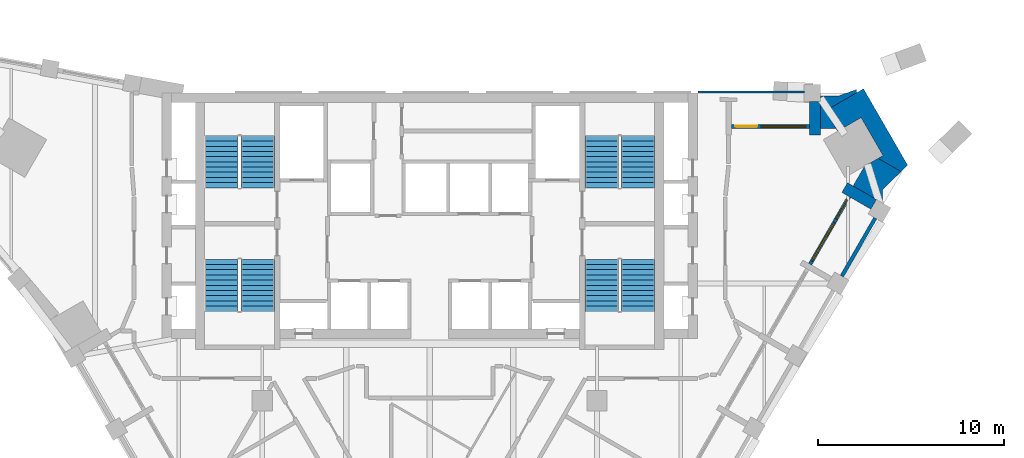
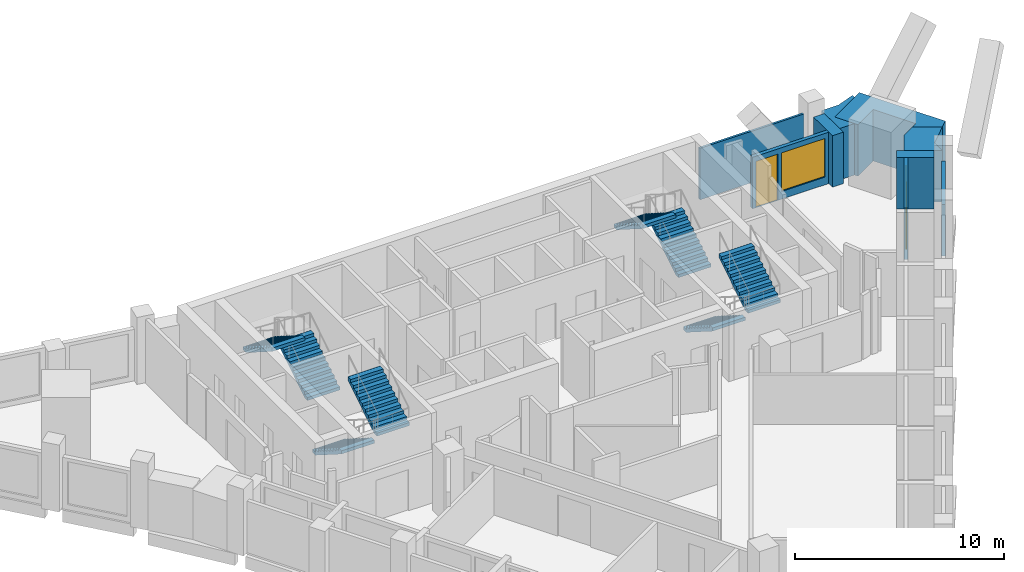
# One storey, part 8 of 9: 9 walls, 8 stair flights, 2 doors, 2 windows, 4 openings, 4 elements without a shape of their own.
"""IFC4 building model written with IfcOpenShell, lengths in metres."""

from ifc_helpers import new_model, si_unit, direction, frame, frame_2d, origin, place, context, subcontext, project, spatial, polyline, rectangle, outline, extrude, faceted_brep, source, transform, mapped, material, layer, layer_set, type_object, element, fill, aggregate, save


model = new_model("IFC4")

# Units and contexts
model_context = context("Model", 3, precision=1e-05, world=origin(), true_north=direction((0.0, 1.0)))
body_context = subcontext(model_context, "Body", "Model", "MODEL_VIEW")
ifc_project = project(units=[si_unit("LENGTHUNIT", "METRE"), si_unit("AREAUNIT", "SQUARE_METRE"), si_unit("VOLUMEUNIT", "CUBIC_METRE"), si_unit("PLANEANGLEUNIT", "RADIAN"), si_unit("MASSUNIT", "GRAM", prefix="KILO")], contexts=[model_context])

# Site, building, storey
site_placement = place(None, origin())
site = spatial("IfcSite", under=ifc_project, at=site_placement, CompositionType="ELEMENT")
building_placement = place(site_placement, origin())
building = spatial("IfcBuilding", under=site, at=building_placement, Name="Calabash Gate Tower", CompositionType="ELEMENT")
storey_placement = place(building_placement, frame((0.0, 0.0, 235.39990234375)))
storey = spatial("IfcBuildingStorey", under=building, at=storey_placement, Name="L56", CompositionType="ELEMENT", Elevation=235.39990234375)

# Walls
ifc_material_1 = material(Name="Terracotta brick masonry, exposed face", Category="masonry")
ifc_layer_1 = layer(ifc_material_1, 2.35009765625)
ifc_layer_set_1 = layer_set([ifc_layer_1], Name="Brick corner mass wall 2350")
wall_type_1 = type_object("IfcWallType", Name="Brick corner mass wall 2350", PredefinedType="SOLIDWALL", material=ifc_layer_set_1)
wall_1_placement = place(storey_placement, origin())
element("IfcWall", 1, at=wall_1_placement, inside=storey, type_object=wall_type_1, Name="Brick corner pier S16 3a", PredefinedType="SOLIDWALL", context=body_context, shape_type="SweptSolid", body=[
    extrude(outline(polyline([(23.392333984375, 15.1171875), (22.775634765625, 14.049072265625), (24.364013671875, 13.1318359375), (24.364013671875, 13.861083984375), (25.353271484375, 14.825439453125), (24.119873046875, 15.537353515625), (23.392333984375, 15.1171875)])), origin(), (0.0, 0.0, 1.0), 3.0),
])
wall_2_placement = place(storey_placement, origin())
element("IfcWall", 2, at=wall_2_placement, inside=storey, type_object=wall_type_1, Name="Brick corner pier S16 3b", PredefinedType="SOLIDWALL", context=body_context, shape_type="SweptSolid", body=[
    extrude(outline(polyline([(23.2041015625, 17.72216796875), (24.379150390625, 15.68701171875), (24.119873046875, 15.537353515625), (25.353271484375, 14.825439453125), (25.706298828125, 15.169677734375), (23.33447265625, 19.277587890625), (21.29931640625, 18.1025390625), (21.9404296875, 16.992431640625), (23.2041015625, 17.72216796875)])), origin(), (0.0, 0.0, 1.0), 3.0),
])
wall_3_placement = place(storey_placement, origin())
element("IfcWall", 3, at=wall_3_placement, inside=storey, type_object=wall_type_1, Name="Brick corner pier S16 3c", PredefinedType="SOLIDWALL", context=body_context, shape_type="SweptSolid", body=[
    extrude(outline(polyline([(21.027099609375, 18.884033203125), (21.02685546875, 17.152587890625), (21.847900390625, 17.152587890625), (21.29931640625, 18.1025390625), (22.94482421875, 19.052490234375), (22.94482421875, 19.239501953125), (21.97802734375, 18.884033203125), (21.027099609375, 18.884033203125)])), origin(), (0.0, 0.0, 1.0), 3.0),
])
ifc_material_2 = material(Name="Terracotta brick masonry, exposed face", Category="masonry")
ifc_layer_2 = layer(ifc_material_2, 0.300048828125)
ifc_layer_set_2 = layer_set([ifc_layer_2], Name="Brick loggia cheek wall 300")
wall_type_2 = type_object("IfcWallType", Name="Brick loggia cheek wall 300", PredefinedType="SOLIDWALL", material=ifc_layer_set_2)
wall_4_placement = place(storey_placement, frame((23.88134765625, 13.064208984375, 0.0), z_axis=(0.0, 0.0, 1.0), x_axis=(-0.866047807691, 0.499961193289, 0.0)))
element("IfcWall", 4, at=wall_4_placement, inside=storey, type_object=wall_type_2, Name="Loggia cheek S16 SE2.9", PredefinedType="SOLIDWALL", context=body_context, shape_type="SweptSolid", body=[
    extrude(rectangle(XDim=1.800048828125, YDim=0.60009765625, at=frame_2d((0.89990234375, 0.0))), origin(), (0.0, 0.0, 1.0), 3.0),
])
wall_5_placement = place(storey_placement, origin())
element("IfcWall", 5, at=wall_5_placement, inside=storey, type_object=wall_type_2, Name="Loggia cheek S16 N4.0", PredefinedType="SOLIDWALL", context=body_context, shape_type="SweptSolid", body=[
    extrude(outline(polyline([(21.02685546875, 16.802490234375), (21.02685546875, 18.6025390625), (20.427001953125, 18.6025390625), (20.427001953125, 16.802490234375), (21.02685546875, 16.802490234375)])), origin(), (0.0, 0.0, 1.0), 3.0),
])
ifc_material_3 = material(Name="Terracotta brick masonry, perforated", Category="masonry")
ifc_layer_3 = layer(ifc_material_3, 0.1201171875)
ifc_layer_set_3 = layer_set([ifc_layer_3], Name="Terracotta jaali cladding B 120")
wall_type_3 = type_object("IfcWallType", Name="Terracotta jaali cladding B 120", PredefinedType="SOLIDWALL", material=ifc_layer_set_3)
wall_6_placement = place(storey_placement, frame((14.4248046875, 19.112548828125, 0.0), z_axis=(0.0, 0.0, 1.0), x_axis=(1.0, 0.0, 0.0)))
element("IfcWall", 6, at=wall_6_placement, inside=storey, type_object=wall_type_3, Name="Jaali cladding S16 N4.c1", PredefinedType="SOLIDWALL", context=body_context, shape_type="SweptSolid", body=[
    extrude(rectangle(XDim=5.739990234375, YDim=0.1201171875, at=frame_2d((2.8701171875, 0.0))), origin(), (0.0, 0.0, 1.0), 3.0),
])
ifc_material_4 = material(Name="Terracotta brick masonry, perforated", Category="masonry")
ifc_layer_4 = layer(ifc_material_4, 0.199951171875)
ifc_layer_set_4 = layer_set([ifc_layer_4], Name="Terracotta jaali screen B")
wall_type_4 = type_object("IfcWallType", Name="Terracotta jaali screen B", PredefinedType="SOLIDWALL", material=ifc_layer_set_4)
wall_7_placement = place(storey_placement, frame((22.1708984375, 9.201904296875, 0.0), z_axis=(0.0, 0.0, 1.0), x_axis=(0.500012057535, 0.866018442252, 0.0)))
element("IfcWall", 7, at=wall_7_placement, inside=storey, type_object=wall_type_4, Name="SCREEN B S16 SE2.9", PredefinedType="SOLIDWALL", context=body_context, shape_type="SweptSolid", body=[
    extrude(rectangle(XDim=3.60009765625, YDim=0.199951171875, at=frame_2d((1.800048828125, 0.0))), origin(), (0.0, 0.0, 1.0), 3.0),
])

# Wall, openings, door, window
ifc_material_5 = material(Name="Aluminium framed window wall with insulated spandrel", Category="aluminium")
ifc_layer_5 = layer(ifc_material_5, 0.199951171875)
ifc_layer_set_5 = layer_set([ifc_layer_5], Name="Window wall 200")
wall_type_5 = type_object("IfcWallType", Name="Window wall 200", PredefinedType="ELEMENTEDWALL", material=ifc_layer_set_5)
wall_8_placement = place(storey_placement, frame((20.462158203125, 9.842041015625, 0.0), z_axis=(0.0, 0.0, 1.0), x_axis=(0.500027713859, 0.866009402589, 0.0)))
wall_8 = element("IfcWall", 8, at=wall_8_placement, inside=storey, type_object=wall_type_5, Name="Window wall S16 SE2.9", PredefinedType="ELEMENTEDWALL", context=body_context, shape_type="SweptSolid", body=[
    extrude(rectangle(XDim=4.199951171875, YDim=0.199951171875, at=frame_2d((2.10009765625, 0.0))), origin(), (0.0, 0.0, 1.0), 3.0),
])
opening_1_placement = place(wall_8_placement, frame((0.199951171875, 0.0, 0.449951171875)))
opening_1 = element("IfcOpeningElement", 9, at=opening_1_placement, cuts=wall_8, Name="Opening OW1", PredefinedType="OPENING", context=body_context, shape_type="SweptSolid", body=[
    extrude(rectangle(XDim=2.39990234375, YDim=2.25, at=frame_2d((1.199951171875, 1.125))), frame((0.0, 0.10986328125, 0.0), z_axis=(0.0, -1.0, 0.0), x_axis=(1.0, 0.0, 0.0)), (0.0, 0.0, 1.0), 0.219970703125),
])
opening_2_placement = place(wall_8_placement, frame((2.800048828125, 0.0, 0.0)))
opening_2 = element("IfcOpeningElement", 10, at=opening_2_placement, cuts=wall_8, Name="Opening O8-025", PredefinedType="OPENING", context=body_context, shape_type="SweptSolid", body=[
    extrude(rectangle(XDim=1.199951171875, YDim=2.699951171875, at=frame_2d((0.60009765625, 1.35009765625))), frame((0.0, 0.10986328125, 0.0), z_axis=(0.0, -1.0, 0.0), x_axis=(1.0, 0.0, 0.0)), (0.0, 0.0, 1.0), 0.219970703125),
])
ifc_material_6 = material(Name="Anodised aluminium frame, bronze finish, impact-rated laminated clear glazing", Category="aluminium")
door_type = type_object("IfcDoorType", Name="Loggia door DO1 1200x2700", OperationType="SLIDING_TO_LEFT", PredefinedType="DOOR", material=ifc_material_6)
door_1_placement = place(opening_2_placement, origin())
door_1 = element("IfcDoor", 11, at=door_1_placement, inside=storey, type_object=door_type, Name="Loggia door S16 SE2.9", OperationType="SINGLE_SWING_LEFT", OverallHeight=2.699951171875, OverallWidth=1.199951171875, PredefinedType="DOOR", context=body_context, shape_type="SweptSolid", body=[
    extrude(rectangle(XDim=1.199951171875, YDim=2.699951171875, at=frame_2d((0.60009765625, 1.35009765625))), frame((0.0, 0.02490234375, 0.0), z_axis=(0.0, -1.0, 0.0), x_axis=(1.0, 0.0, 0.0)), (0.0, 0.0, 1.0), 0.050048828125),
])
fill(opening_2, door_1)
ifc_material_7 = material(Name="Anodised aluminium frame, bronze finish, impact-rated laminated clear glazing", Category="aluminium")
window_type = type_object("IfcWindowType", Name="Window OW1 2400x2250", PartitioningType="DOUBLE_PANEL_VERTICAL", PredefinedType="WINDOW", material=ifc_material_7)
window_1_placement = place(opening_1_placement, origin())
window_1 = element("IfcWindow", 12, at=window_1_placement, inside=storey, type_object=window_type, Name="Window OW1 S16 SE2.9", OverallHeight=2.25, OverallWidth=2.39990234375, PartitioningType="SINGLE_PANEL", PredefinedType="WINDOW", context=body_context, shape_type="SweptSolid", body=[
    extrude(rectangle(XDim=2.39990234375, YDim=2.25, at=frame_2d((1.199951171875, 1.125))), frame((0.0, 0.030029296875, 0.0), z_axis=(0.0, -1.0, 0.0), x_axis=(1.0, 0.0, 0.0)), (0.0, 0.0, 1.0), 0.06005859375),
])
fill(opening_1, window_1)

wall_9_placement = place(storey_placement, frame((20.427001953125, 17.25244140625, 0.0), z_axis=(0.0, 0.0, 1.0), x_axis=(-1.0, 0.0, 0.0)))
wall_9 = element("IfcWall", 13, at=wall_9_placement, inside=storey, type_object=wall_type_5, Name="Window wall S16 N4.1", PredefinedType="ELEMENTEDWALL", context=body_context, shape_type="SweptSolid", body=[
    extrude(rectangle(XDim=4.199951171875, YDim=0.199951171875, at=frame_2d((2.10009765625, 0.0))), origin(), (0.0, 0.0, 1.0), 3.0),
])
opening_3_placement = place(wall_9_placement, frame((0.199951171875, 0.0, 0.449951171875)))
opening_3 = element("IfcOpeningElement", 14, at=opening_3_placement, cuts=wall_9, Name="Opening OW1", PredefinedType="OPENING", context=body_context, shape_type="SweptSolid", body=[
    extrude(rectangle(XDim=2.39990234375, YDim=2.25, at=frame_2d((1.199951171875, 1.125))), frame((0.0, 0.10986328125, 0.0), z_axis=(0.0, -1.0, 0.0), x_axis=(1.0, 0.0, 0.0)), (0.0, 0.0, 1.0), 0.219970703125),
])
opening_4_placement = place(wall_9_placement, frame((2.800048828125, 0.0, 0.0)))
opening_4 = element("IfcOpeningElement", 15, at=opening_4_placement, cuts=wall_9, Name="Opening O8-021", PredefinedType="OPENING", context=body_context, shape_type="SweptSolid", body=[
    extrude(rectangle(XDim=1.199951171875, YDim=2.699951171875, at=frame_2d((0.60009765625, 1.35009765625))), frame((0.0, 0.10986328125, 0.0), z_axis=(0.0, -1.0, 0.0), x_axis=(1.0, 0.0, 0.0)), (0.0, 0.0, 1.0), 0.219970703125),
])
door_2_placement = place(opening_4_placement, origin())
door_2 = element("IfcDoor", 16, at=door_2_placement, inside=storey, type_object=door_type, Name="Loggia door S16 N4.1", OperationType="SINGLE_SWING_LEFT", OverallHeight=2.699951171875, OverallWidth=1.199951171875, PredefinedType="DOOR", context=body_context, shape_type="SweptSolid", body=[
    extrude(rectangle(XDim=1.199951171875, YDim=2.699951171875, at=frame_2d((0.60009765625, 1.35009765625))), frame((0.0, 0.02490234375, 0.0), z_axis=(0.0, -1.0, 0.0), x_axis=(1.0, 0.0, 0.0)), (0.0, 0.0, 1.0), 0.050048828125),
])
fill(opening_4, door_2)
window_2_placement = place(opening_3_placement, origin())
window_2 = element("IfcWindow", 17, at=window_2_placement, inside=storey, type_object=window_type, Name="Window OW1 S16 N4.1", OverallHeight=2.25, OverallWidth=2.39990234375, PartitioningType="SINGLE_PANEL", PredefinedType="WINDOW", context=body_context, shape_type="SweptSolid", body=[
    extrude(rectangle(XDim=2.39990234375, YDim=2.25, at=frame_2d((1.199951171875, 1.125))), frame((0.0, 0.030029296875, 0.0), z_axis=(0.0, -1.0, 0.0), x_axis=(1.0, 0.0, 0.0)), (0.0, 0.0, 1.0), 0.06005859375),
])
fill(opening_3, window_2)

# Stair, stair flights
ifc_material_8 = material(Name="Concrete C40/50", Category="concrete")
stair_type = type_object("IfcStairType", Name="Exit stair 22 risers of 177.3 mm", PredefinedType="HALF_TURN_STAIR", material=ifc_material_8)
stair_1_placement = place(storey_placement, origin())
stair_1 = element("IfcStair", 18, at=stair_1_placement, inside=storey, type_object=stair_type, Name="L56 Exit stair ST1", PredefinedType="HALF_TURN_STAIR")
ifc_material_9 = material(Name="Concrete C40/50", Category="concrete")
stair_flight_type = type_object("IfcStairFlightType", Name="Exit stair flight SFL", PredefinedType="STRAIGHT", material=ifc_material_9)
shared_shape = source(origin(), body_context, "Body", "Brep", [
    faceted_brep([(-0.0009765625, -0.89990234375, 0.0), (0.279541015625, -0.89990234375, 0.0), (2.791015625, -0.89990234375, 1.59521484375), (-0.0009765625, 0.89990234375, 0.0), (2.791015625, 0.89990234375, 1.59521484375), (0.279541015625, 0.89990234375, 0.0), (2.791015625, -0.89990234375, 1.78466796875), (2.7900390625, -0.89990234375, 1.78466796875), (2.7900390625, 0.89990234375, 1.78466796875), (2.791015625, 0.89990234375, 1.78466796875), (2.7900390625, -0.89990234375, 1.772705078125), (2.7900390625, 0.89990234375, 1.772705078125), (2.510986328125, -0.89990234375, 1.772705078125), (2.510986328125, 0.89990234375, 1.772705078125), (2.510986328125, -0.89990234375, 1.595458984375), (2.510986328125, 0.89990234375, 1.595458984375), (2.23193359375, -0.89990234375, 1.595458984375), (2.23193359375, 0.89990234375, 1.595458984375), (2.23193359375, -0.89990234375, 1.418212890625), (2.23193359375, 0.89990234375, 1.418212890625), (1.952880859375, -0.89990234375, 1.418212890625), (1.952880859375, -0.89990234375, 1.240966796875), (1.952880859375, 0.89990234375, 1.240966796875), (1.952880859375, 0.89990234375, 1.418212890625), (1.674072265625, -0.89990234375, 1.240966796875), (1.674072265625, -0.89990234375, 1.063720703125), (1.674072265625, 0.89990234375, 1.063720703125), (1.674072265625, 0.89990234375, 1.240966796875), (1.39501953125, -0.89990234375, 1.063720703125), (1.39501953125, -0.89990234375, 0.886474609375), (1.39501953125, 0.89990234375, 0.886474609375), (1.39501953125, 0.89990234375, 1.063720703125), (1.115966796875, -0.89990234375, 0.886474609375), (1.115966796875, -0.89990234375, 0.708984375), (1.115966796875, 0.89990234375, 0.708984375), (1.115966796875, 0.89990234375, 0.886474609375), (0.8369140625, -0.89990234375, 0.708984375), (0.8369140625, -0.89990234375, 0.53173828125), (0.8369140625, 0.89990234375, 0.53173828125), (0.8369140625, 0.89990234375, 0.708984375), (0.55810546875, -0.89990234375, 0.53173828125), (0.55810546875, -0.89990234375, 0.3544921875), (0.55810546875, 0.89990234375, 0.3544921875), (0.55810546875, 0.89990234375, 0.53173828125), (0.279052734375, -0.89990234375, 0.3544921875), (0.279052734375, -0.89990234375, 0.17724609375), (0.279052734375, 0.89990234375, 0.17724609375), (0.279052734375, 0.89990234375, 0.3544921875), (-0.0009765625, -0.89990234375, 0.17724609375), (-0.0009765625, 0.89990234375, 0.17724609375), (0.279541015625, -0.360107421875, 0.0), (2.791015625, -0.360107421875, 1.59521484375), (0.279541015625, 0.0, 0.0), (2.791015625, 0.0, 1.59521484375), (0.279541015625, 0.360107421875, 0.0), (2.791015625, 0.360107421875, 1.59521484375), (2.791015625, -0.360107421875, 1.78466796875), (2.791015625, 0.0, 1.78466796875), (2.791015625, 0.360107421875, 1.78466796875), (2.7900390625, -0.360107421875, 1.78466796875), (2.7900390625, 0.0, 1.78466796875), (2.7900390625, 0.360107421875, 1.78466796875), (2.7900390625, -0.360107421875, 1.772705078125), (2.7900390625, 0.0, 1.772705078125), (2.7900390625, 0.360107421875, 1.772705078125), (2.510986328125, -0.360107421875, 1.772705078125), (2.510986328125, 0.0, 1.772705078125), (2.510986328125, 0.360107421875, 1.772705078125), (2.510986328125, -0.360107421875, 1.595458984375), (2.510986328125, 0.0, 1.595458984375), (2.510986328125, 0.360107421875, 1.595458984375), (2.23193359375, -0.360107421875, 1.595458984375), (2.23193359375, 0.0, 1.595458984375), (2.23193359375, 0.360107421875, 1.595458984375), (2.23193359375, -0.360107421875, 1.418212890625), (2.23193359375, 0.0, 1.418212890625), (2.23193359375, 0.360107421875, 1.418212890625), (1.952880859375, -0.360107421875, 1.418212890625), (1.952880859375, 0.0, 1.418212890625), (1.952880859375, 0.360107421875, 1.418212890625), (1.952880859375, -0.360107421875, 1.240966796875), (1.952880859375, 0.0, 1.240966796875), (1.952880859375, 0.360107421875, 1.240966796875), (1.674072265625, -0.360107421875, 1.240966796875), (1.674072265625, 0.0, 1.240966796875), (1.674072265625, 0.360107421875, 1.240966796875), (1.674072265625, -0.360107421875, 1.063720703125), (1.674072265625, 0.0, 1.063720703125), (1.674072265625, 0.360107421875, 1.063720703125), (1.39501953125, -0.360107421875, 1.063720703125), (1.39501953125, 0.0, 1.063720703125), (1.39501953125, 0.360107421875, 1.063720703125), (1.39501953125, -0.360107421875, 0.886474609375), (1.39501953125, 0.0, 0.886474609375), (1.39501953125, 0.360107421875, 0.886474609375), (1.115966796875, -0.360107421875, 0.886474609375), (1.115966796875, 0.0, 0.886474609375), (1.115966796875, 0.360107421875, 0.886474609375), (1.115966796875, -0.360107421875, 0.708984375), (1.115966796875, 0.0, 0.708984375), (1.115966796875, 0.360107421875, 0.708984375), (0.8369140625, -0.360107421875, 0.708984375), (0.8369140625, 0.0, 0.708984375), (0.8369140625, 0.360107421875, 0.708984375), (0.8369140625, -0.360107421875, 0.53173828125), (0.8369140625, 0.0, 0.53173828125), (0.8369140625, 0.360107421875, 0.53173828125), (0.55810546875, -0.360107421875, 0.53173828125), (0.55810546875, 0.0, 0.53173828125), (0.55810546875, 0.360107421875, 0.53173828125), (0.55810546875, -0.360107421875, 0.3544921875), (0.55810546875, 0.0, 0.3544921875), (0.55810546875, 0.360107421875, 0.3544921875), (0.279052734375, -0.360107421875, 0.3544921875), (0.279052734375, 0.0, 0.3544921875), (0.279052734375, 0.360107421875, 0.3544921875), (0.279052734375, -0.360107421875, 0.17724609375), (0.279052734375, 0.0, 0.17724609375), (0.279052734375, 0.360107421875, 0.17724609375), (-0.0009765625, -0.360107421875, 0.17724609375), (-0.0009765625, 0.0, 0.17724609375), (-0.0009765625, 0.360107421875, 0.17724609375), (-0.0009765625, -0.360107421875, 0.0), (-0.0009765625, 0.0, 0.0), (-0.0009765625, 0.360107421875, 0.0)], [[[0, 1, 2]], [[3, 4, 5]], [[2, 6, 7]], [[4, 8, 9]], [[2, 7, 10]], [[4, 11, 8]], [[2, 10, 12]], [[4, 13, 11]], [[2, 12, 14]], [[4, 15, 13]], [[2, 14, 16]], [[4, 17, 15]], [[2, 16, 18]], [[4, 19, 17]], [[18, 20, 21]], [[19, 22, 23]], [[2, 18, 21]], [[4, 22, 19]], [[21, 24, 25]], [[22, 26, 27]], [[2, 21, 25]], [[4, 26, 22]], [[25, 28, 29]], [[26, 30, 31]], [[2, 25, 29]], [[4, 30, 26]], [[29, 32, 33]], [[30, 34, 35]], [[2, 29, 33]], [[4, 34, 30]], [[33, 36, 37]], [[34, 38, 39]], [[2, 33, 37]], [[4, 38, 34]], [[37, 40, 41]], [[38, 42, 43]], [[2, 37, 41]], [[4, 42, 38]], [[41, 44, 45]], [[42, 46, 47]], [[2, 41, 45]], [[4, 46, 42]], [[0, 2, 45]], [[3, 46, 4]], [[45, 48, 0]], [[46, 3, 49]], [[1, 50, 2]], [[50, 51, 2]], [[50, 52, 51]], [[52, 53, 51]], [[52, 54, 55]], [[52, 55, 53]], [[54, 5, 4]], [[54, 4, 55]], [[2, 51, 6]], [[51, 56, 6]], [[51, 53, 56]], [[53, 57, 56]], [[53, 55, 58]], [[53, 58, 57]], [[55, 4, 9]], [[55, 9, 58]], [[6, 56, 7]], [[56, 59, 7]], [[56, 57, 59]], [[57, 60, 59]], [[57, 58, 61]], [[57, 61, 60]], [[58, 9, 8]], [[58, 8, 61]], [[7, 59, 10]], [[59, 62, 10]], [[59, 60, 62]], [[60, 63, 62]], [[60, 61, 64]], [[60, 64, 63]], [[61, 8, 11]], [[61, 11, 64]], [[10, 62, 12]], [[62, 65, 12]], [[62, 63, 65]], [[63, 66, 65]], [[63, 64, 67]], [[63, 67, 66]], [[64, 11, 13]], [[64, 13, 67]], [[12, 65, 14]], [[65, 68, 14]], [[65, 66, 68]], [[66, 69, 68]], [[66, 67, 70]], [[66, 70, 69]], [[67, 13, 15]], [[67, 15, 70]], [[14, 68, 16]], [[68, 71, 16]], [[68, 69, 71]], [[69, 72, 71]], [[69, 70, 73]], [[69, 73, 72]], [[70, 15, 17]], [[70, 17, 73]], [[16, 71, 18]], [[71, 74, 18]], [[71, 72, 74]], [[72, 75, 74]], [[72, 73, 76]], [[72, 76, 75]], [[73, 17, 19]], [[73, 19, 76]], [[18, 74, 20]], [[74, 77, 20]], [[74, 75, 77]], [[75, 78, 77]], [[75, 76, 79]], [[75, 79, 78]], [[76, 19, 23]], [[76, 23, 79]], [[20, 77, 21]], [[77, 80, 21]], [[77, 78, 80]], [[78, 81, 80]], [[78, 79, 82]], [[78, 82, 81]], [[79, 23, 22]], [[79, 22, 82]], [[21, 80, 24]], [[80, 83, 24]], [[80, 81, 83]], [[81, 84, 83]], [[81, 82, 85]], [[81, 85, 84]], [[82, 22, 27]], [[82, 27, 85]], [[24, 83, 25]], [[83, 86, 25]], [[83, 84, 86]], [[84, 87, 86]], [[84, 85, 88]], [[84, 88, 87]], [[85, 27, 26]], [[85, 26, 88]], [[25, 86, 28]], [[86, 89, 28]], [[86, 87, 89]], [[87, 90, 89]], [[87, 88, 91]], [[87, 91, 90]], [[88, 26, 31]], [[88, 31, 91]], [[28, 89, 29]], [[89, 92, 29]], [[89, 90, 92]], [[90, 93, 92]], [[90, 91, 94]], [[90, 94, 93]], [[91, 31, 30]], [[91, 30, 94]], [[29, 92, 32]], [[92, 95, 32]], [[92, 93, 95]], [[93, 96, 95]], [[93, 94, 97]], [[93, 97, 96]], [[94, 30, 35]], [[94, 35, 97]], [[32, 95, 33]], [[95, 98, 33]], [[95, 96, 98]], [[96, 99, 98]], [[96, 97, 100]], [[96, 100, 99]], [[97, 35, 34]], [[97, 34, 100]], [[33, 98, 36]], [[98, 101, 36]], [[98, 99, 101]], [[99, 102, 101]], [[99, 100, 103]], [[99, 103, 102]], [[100, 34, 39]], [[100, 39, 103]], [[36, 101, 37]], [[101, 104, 37]], [[101, 102, 104]], [[102, 105, 104]], [[102, 103, 106]], [[102, 106, 105]], [[103, 39, 38]], [[103, 38, 106]], [[37, 104, 40]], [[104, 107, 40]], [[104, 105, 107]], [[105, 108, 107]], [[105, 106, 109]], [[105, 109, 108]], [[106, 38, 43]], [[106, 43, 109]], [[40, 107, 41]], [[107, 110, 41]], [[107, 108, 110]], [[108, 111, 110]], [[108, 109, 112]], [[108, 112, 111]], [[109, 43, 42]], [[109, 42, 112]], [[41, 110, 44]], [[110, 113, 44]], [[110, 111, 113]], [[111, 114, 113]], [[111, 112, 115]], [[111, 115, 114]], [[112, 42, 47]], [[112, 47, 115]], [[44, 113, 45]], [[113, 116, 45]], [[113, 114, 116]], [[114, 117, 116]], [[114, 115, 118]], [[114, 118, 117]], [[115, 47, 46]], [[115, 46, 118]], [[45, 116, 48]], [[116, 119, 48]], [[116, 117, 119]], [[117, 120, 119]], [[117, 118, 121]], [[117, 121, 120]], [[118, 46, 49]], [[118, 49, 121]], [[48, 119, 0]], [[119, 122, 0]], [[119, 120, 122]], [[120, 123, 122]], [[120, 121, 124]], [[120, 124, 123]], [[121, 49, 3]], [[121, 3, 124]], [[0, 122, 1]], [[122, 50, 1]], [[122, 123, 50]], [[123, 52, 50]], [[123, 124, 54]], [[123, 54, 52]], [[124, 3, 5]], [[124, 5, 54]]]),
])
stair_flight_1_placement = place(storey_placement, frame((-9.25, 13.95263671875, 0.0), z_axis=(0.0, 0.0, 1.0), x_axis=(0.0, 1.0, 0.0)))
stair_flight_1 = element("IfcStairFlight", 19, at=stair_flight_1_placement, type_object=stair_flight_type, Name="ST1 flight 1", NumberOfRisers=11, NumberOfTreads=10, PredefinedType="STRAIGHT", RiserHeight=0.177272727, TreadLength=0.279, context=body_context, shape_type="MappedRepresentation", body=[
    mapped(shared_shape, transform((0.0, 0.0, 0.0), scale=1.0)),
])
stair_flight_2_placement = place(storey_placement, frame((-11.199951171875, 16.74267578125, 1.9501953125), z_axis=(0.0, 0.0, 1.0), x_axis=(0.0, -1.0, 0.0)))
stair_flight_2 = element("IfcStairFlight", 20, at=stair_flight_2_placement, type_object=stair_flight_type, Name="ST1 flight 2", NumberOfRisers=11, NumberOfTreads=10, PredefinedType="STRAIGHT", RiserHeight=0.177272727, TreadLength=0.279, context=body_context, shape_type="MappedRepresentation", body=[
    mapped(shared_shape, transform((0.0, 0.0, 0.0), scale=1.0)),
])
aggregate(stair_1, [stair_flight_1, stair_flight_2])

stair_2_placement = place(storey_placement, origin())
stair_2 = element("IfcStair", 21, at=stair_2_placement, inside=storey, type_object=stair_type, Name="L56 Exit stair ST2", PredefinedType="HALF_TURN_STAIR")
stair_flight_3_placement = place(storey_placement, frame((-11.199951171875, 10.1025390625, 0.0), z_axis=(0.0, 0.0, 1.0), x_axis=(0.0, -1.0, 0.0)))
stair_flight_3 = element("IfcStairFlight", 22, at=stair_flight_3_placement, type_object=stair_flight_type, Name="ST2 flight 1", NumberOfRisers=11, NumberOfTreads=10, PredefinedType="STRAIGHT", RiserHeight=0.177272727, TreadLength=0.279, context=body_context, shape_type="MappedRepresentation", body=[
    mapped(shared_shape, transform((0.0, 0.0, 0.0), scale=1.0)),
])
stair_flight_4_placement = place(storey_placement, frame((-9.25, 7.3125, 1.9501953125), z_axis=(0.0, 0.0, 1.0), x_axis=(0.0, 1.0, 0.0)))
stair_flight_4 = element("IfcStairFlight", 23, at=stair_flight_4_placement, type_object=stair_flight_type, Name="ST2 flight 2", NumberOfRisers=11, NumberOfTreads=10, PredefinedType="STRAIGHT", RiserHeight=0.177272727, TreadLength=0.279, context=body_context, shape_type="MappedRepresentation", body=[
    mapped(shared_shape, transform((0.0, 0.0, 0.0), scale=1.0)),
])
aggregate(stair_2, [stair_flight_3, stair_flight_4])

stair_3_placement = place(storey_placement, origin())
stair_3 = element("IfcStair", 24, at=stair_3_placement, inside=storey, type_object=stair_type, Name="L56 Exit stair ST3", PredefinedType="HALF_TURN_STAIR")
stair_flight_5_placement = place(storey_placement, frame((11.199951171875, 13.95263671875, 0.0), z_axis=(0.0, 0.0, 1.0), x_axis=(0.0, 1.0, 0.0)))
stair_flight_5 = element("IfcStairFlight", 25, at=stair_flight_5_placement, type_object=stair_flight_type, Name="ST3 flight 1", NumberOfRisers=11, NumberOfTreads=10, PredefinedType="STRAIGHT", RiserHeight=0.177272727, TreadLength=0.279, context=body_context, shape_type="MappedRepresentation", body=[
    mapped(shared_shape, transform((0.0, 0.0, 0.0), scale=1.0)),
])
stair_flight_6_placement = place(storey_placement, frame((9.25, 16.74267578125, 1.9501953125), z_axis=(0.0, 0.0, 1.0), x_axis=(0.0, -1.0, 0.0)))
stair_flight_6 = element("IfcStairFlight", 26, at=stair_flight_6_placement, type_object=stair_flight_type, Name="ST3 flight 2", NumberOfRisers=11, NumberOfTreads=10, PredefinedType="STRAIGHT", RiserHeight=0.177272727, TreadLength=0.279, context=body_context, shape_type="MappedRepresentation", body=[
    mapped(shared_shape, transform((0.0, 0.0, 0.0), scale=1.0)),
])
aggregate(stair_3, [stair_flight_5, stair_flight_6])

stair_4_placement = place(storey_placement, origin())
stair_4 = element("IfcStair", 27, at=stair_4_placement, inside=storey, type_object=stair_type, Name="L56 Exit stair ST4", PredefinedType="HALF_TURN_STAIR")
stair_flight_7_placement = place(storey_placement, frame((9.25, 10.1025390625, 0.0), z_axis=(0.0, 0.0, 1.0), x_axis=(0.0, -1.0, 0.0)))
stair_flight_7 = element("IfcStairFlight", 28, at=stair_flight_7_placement, type_object=stair_flight_type, Name="ST4 flight 1", NumberOfRisers=11, NumberOfTreads=10, PredefinedType="STRAIGHT", RiserHeight=0.177272727, TreadLength=0.279, context=body_context, shape_type="MappedRepresentation", body=[
    mapped(shared_shape, transform((0.0, 0.0, 0.0), scale=1.0)),
])
stair_flight_8_placement = place(storey_placement, frame((11.199951171875, 7.3125, 1.9501953125), z_axis=(0.0, 0.0, 1.0), x_axis=(0.0, 1.0, 0.0)))
stair_flight_8 = element("IfcStairFlight", 29, at=stair_flight_8_placement, type_object=stair_flight_type, Name="ST4 flight 2", NumberOfRisers=11, NumberOfTreads=10, PredefinedType="STRAIGHT", RiserHeight=0.177272727, TreadLength=0.279, context=body_context, shape_type="MappedRepresentation", body=[
    mapped(shared_shape, transform((0.0, 0.0, 0.0), scale=1.0)),
])
aggregate(stair_4, [stair_flight_7, stair_flight_8])

save(model, "model.ifc")
